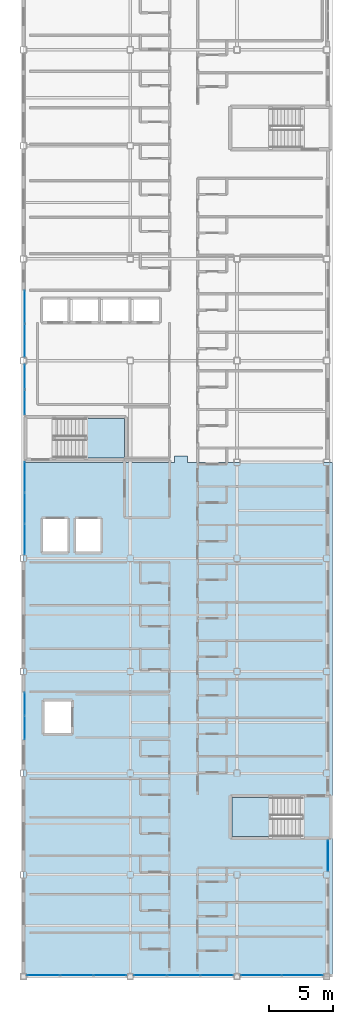
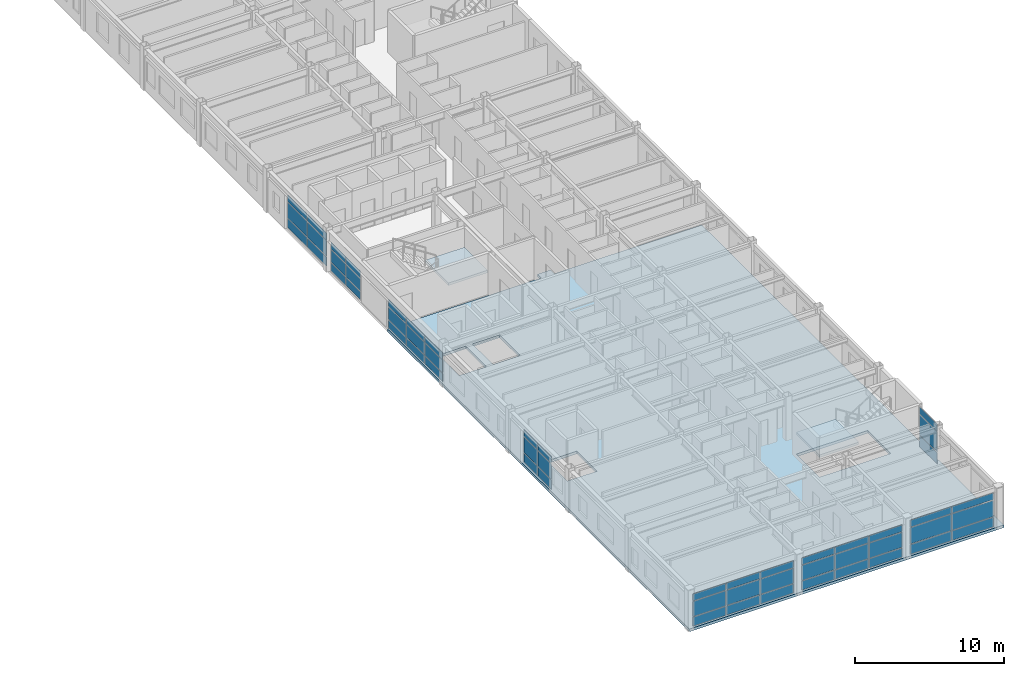
# One storey, part 21 of 33: 54 plates, 3 slabs, 10 elements without a shape of their own.
"""IFC4 building model written with IfcOpenShell, lengths in metres."""

from ifc_helpers import new_model, si_unit, direction, frame, origin, origin_2d, place, context, subcontext, project, spatial, polyline, rectangle, outline, extrude, material, layer, layer_set, type_object, element, aggregate, save


model = new_model("IFC4")

# Units and contexts
model_context = context("Model", 3, precision=1e-05, world=origin(), true_north=direction((0.0, 1.0)))
body_context = subcontext(model_context, "Body", "Model", "MODEL_VIEW")
ifc_project = project(units=[si_unit("LENGTHUNIT", "METRE"), si_unit("AREAUNIT", "SQUARE_METRE"), si_unit("VOLUMEUNIT", "CUBIC_METRE"), si_unit("PLANEANGLEUNIT", "RADIAN"), si_unit("MASSUNIT", "GRAM", prefix="KILO")], contexts=[model_context])

# Site, building, storey
site_placement = place(None, origin())
site = spatial("IfcSite", under=ifc_project, at=site_placement, CompositionType="ELEMENT")
building_placement = place(site_placement, origin())
building = spatial("IfcBuilding", under=site, at=building_placement, Name="Kazehara Bluff Congress Hotel", CompositionType="ELEMENT")
storey_placement = place(building_placement, frame((0.0, 0.0, 39.0)))
storey = spatial("IfcBuildingStorey", under=building, at=storey_placement, Name="L09", CompositionType="ELEMENT", Elevation=39.0)

# Curtain wall, plates
ifc_material_1 = material(Name="Anodised aluminium", Category="aluminium")
ifc_layer_1 = layer(ifc_material_1, 0.159912109375)
ifc_layer_set_1 = layer_set([ifc_layer_1], Name="Anodised aluminium")
curtain_wall_type_1 = type_object("IfcCurtainWallType", Name="TP-CW-185", PredefinedType="NOTDEFINED", material=ifc_layer_set_1)
curtain_wall_1_placement = place(storey_placement, origin())
curtain_wall_1 = element("IfcCurtainWall", 1, at=curtain_wall_1_placement, inside=storey, type_object=curtain_wall_type_1, Name="L09 curtain wall CW-185 CW-ENC-V5-L09-14790-810", PredefinedType="NOTDEFINED")
ifc_material_2 = material(Name="Insulated low-E double glazing", Category="glass")
ifc_layer_2 = layer(ifc_material_2, 0.028076171875)
ifc_layer_set_2 = layer_set([ifc_layer_2], Name="Insulated low-E double glazing")
plate_type_1 = type_object("IfcPlateType", Name="TP-CWP-01", PredefinedType="CURTAIN_PANEL", material=ifc_layer_set_2)
plate_1_placement = place(storey_placement, frame((150.51708984375, 8.10009765625, 0.06494140625), z_axis=(0.0, 0.0, 1.0), x_axis=(-1.0, 0.0, 0.0)))
plate_1 = element("IfcPlate", 2, at=plate_1_placement, type_object=plate_type_1, Name="CW-185 panel 1.1", PredefinedType="CURTAIN_PANEL", context=body_context, shape_type="SweptSolid", body=[
    extrude(rectangle(XDim=2.535888671875, YDim=0.028076171875, at=origin_2d()), origin(), (0.0, 0.0, 1.0), 0.7275390625),
])
plate_2_placement = place(storey_placement, frame((150.51708984375, 8.10009765625, 0.857421875), z_axis=(0.0, 0.0, 1.0), x_axis=(-1.0, 0.0, 0.0)))
plate_2 = element("IfcPlate", 3, at=plate_2_placement, type_object=plate_type_1, Name="CW-185 panel 1.2", PredefinedType="CURTAIN_PANEL", context=body_context, shape_type="SweptSolid", body=[
    extrude(rectangle(XDim=2.535888671875, YDim=0.028076171875, at=origin_2d()), origin(), (0.0, 0.0, 1.0), 1.215087890625),
])
plate_3_placement = place(storey_placement, frame((150.51708984375, 8.10009765625, 2.1376953125), z_axis=(0.0, 0.0, 1.0), x_axis=(-1.0, 0.0, 0.0)))
plate_3 = element("IfcPlate", 4, at=plate_3_placement, type_object=plate_type_1, Name="CW-185 panel 1.3", PredefinedType="CURTAIN_PANEL", context=body_context, shape_type="SweptSolid", body=[
    extrude(rectangle(XDim=2.535888671875, YDim=0.028076171875, at=origin_2d()), origin(), (0.0, 0.0, 1.0), 0.552490234375),
])
plate_4_placement = place(storey_placement, frame((147.89990234375, 8.10009765625, 0.06494140625), z_axis=(0.0, 0.0, 1.0), x_axis=(-1.0, 0.0, 0.0)))
plate_4 = element("IfcPlate", 5, at=plate_4_placement, type_object=plate_type_1, Name="CW-185 panel 2.1", PredefinedType="CURTAIN_PANEL", context=body_context, shape_type="SweptSolid", body=[
    extrude(rectangle(XDim=2.568359375, YDim=0.028076171875, at=origin_2d()), origin(), (0.0, 0.0, 1.0), 0.7275390625),
])
plate_5_placement = place(storey_placement, frame((147.89990234375, 8.10009765625, 0.857421875), z_axis=(0.0, 0.0, 1.0), x_axis=(-1.0, 0.0, 0.0)))
plate_5 = element("IfcPlate", 6, at=plate_5_placement, type_object=plate_type_1, Name="CW-185 panel 2.2", PredefinedType="CURTAIN_PANEL", context=body_context, shape_type="SweptSolid", body=[
    extrude(rectangle(XDim=2.568359375, YDim=0.028076171875, at=origin_2d()), origin(), (0.0, 0.0, 1.0), 1.215087890625),
])
plate_6_placement = place(storey_placement, frame((147.89990234375, 8.10009765625, 2.1376953125), z_axis=(0.0, 0.0, 1.0), x_axis=(-1.0, 0.0, 0.0)))
plate_6 = element("IfcPlate", 7, at=plate_6_placement, type_object=plate_type_1, Name="CW-185 panel 2.3", PredefinedType="CURTAIN_PANEL", context=body_context, shape_type="SweptSolid", body=[
    extrude(rectangle(XDim=2.568359375, YDim=0.028076171875, at=origin_2d()), origin(), (0.0, 0.0, 1.0), 0.552490234375),
])
plate_7_placement = place(storey_placement, frame((145.282958984375, 8.10009765625, 0.06494140625), z_axis=(0.0, 0.0, 1.0), x_axis=(-1.0, 0.0, 0.0)))
plate_7 = element("IfcPlate", 8, at=plate_7_placement, type_object=plate_type_1, Name="CW-185 panel 3.1", PredefinedType="CURTAIN_PANEL", context=body_context, shape_type="SweptSolid", body=[
    extrude(rectangle(XDim=2.535888671875, YDim=0.028076171875, at=origin_2d()), origin(), (0.0, 0.0, 1.0), 0.7275390625),
])
plate_8_placement = place(storey_placement, frame((145.282958984375, 8.10009765625, 0.857421875), z_axis=(0.0, 0.0, 1.0), x_axis=(-1.0, 0.0, 0.0)))
plate_8 = element("IfcPlate", 9, at=plate_8_placement, type_object=plate_type_1, Name="CW-185 panel 3.2", PredefinedType="CURTAIN_PANEL", context=body_context, shape_type="SweptSolid", body=[
    extrude(rectangle(XDim=2.535888671875, YDim=0.028076171875, at=origin_2d()), origin(), (0.0, 0.0, 1.0), 1.215087890625),
])
plate_9_placement = place(storey_placement, frame((145.282958984375, 8.10009765625, 2.1376953125), z_axis=(0.0, 0.0, 1.0), x_axis=(-1.0, 0.0, 0.0)))
plate_9 = element("IfcPlate", 10, at=plate_9_placement, type_object=plate_type_1, Name="CW-185 panel 3.3", PredefinedType="CURTAIN_PANEL", context=body_context, shape_type="SweptSolid", body=[
    extrude(rectangle(XDim=2.535888671875, YDim=0.028076171875, at=origin_2d()), origin(), (0.0, 0.0, 1.0), 0.552490234375),
])
aggregate(curtain_wall_1, [plate_1, plate_2, plate_3, plate_4, plate_5, plate_6, plate_7, plate_8, plate_9])

curtain_wall_2_placement = place(storey_placement, origin())
curtain_wall_2 = element("IfcCurtainWall", 11, at=curtain_wall_2_placement, inside=storey, type_object=curtain_wall_type_1, Name="L09 curtain wall CW-185 CW-ENC-V5-L09-15630-810", PredefinedType="NOTDEFINED")
plate_10_placement = place(storey_placement, frame((158.9169921875, 8.10009765625, 0.06494140625), z_axis=(0.0, 0.0, 1.0), x_axis=(-1.0, 0.0, 0.0)))
plate_10 = element("IfcPlate", 12, at=plate_10_placement, type_object=plate_type_1, Name="CW-185 panel 1.1", PredefinedType="CURTAIN_PANEL", context=body_context, shape_type="SweptSolid", body=[
    extrude(rectangle(XDim=2.535888671875, YDim=0.028076171875, at=origin_2d()), origin(), (0.0, 0.0, 1.0), 0.7275390625),
])
plate_11_placement = place(storey_placement, frame((158.9169921875, 8.10009765625, 0.857421875), z_axis=(0.0, 0.0, 1.0), x_axis=(-1.0, 0.0, 0.0)))
plate_11 = element("IfcPlate", 13, at=plate_11_placement, type_object=plate_type_1, Name="CW-185 panel 1.2", PredefinedType="CURTAIN_PANEL", context=body_context, shape_type="SweptSolid", body=[
    extrude(rectangle(XDim=2.535888671875, YDim=0.028076171875, at=origin_2d()), origin(), (0.0, 0.0, 1.0), 1.215087890625),
])
plate_12_placement = place(storey_placement, frame((158.9169921875, 8.10009765625, 2.1376953125), z_axis=(0.0, 0.0, 1.0), x_axis=(-1.0, 0.0, 0.0)))
plate_12 = element("IfcPlate", 14, at=plate_12_placement, type_object=plate_type_1, Name="CW-185 panel 1.3", PredefinedType="CURTAIN_PANEL", context=body_context, shape_type="SweptSolid", body=[
    extrude(rectangle(XDim=2.535888671875, YDim=0.028076171875, at=origin_2d()), origin(), (0.0, 0.0, 1.0), 0.552490234375),
])
plate_13_placement = place(storey_placement, frame((156.300048828125, 8.10009765625, 0.06494140625), z_axis=(0.0, 0.0, 1.0), x_axis=(-1.0, 0.0, 0.0)))
plate_13 = element("IfcPlate", 15, at=plate_13_placement, type_object=plate_type_1, Name="CW-185 panel 2.1", PredefinedType="CURTAIN_PANEL", context=body_context, shape_type="SweptSolid", body=[
    extrude(rectangle(XDim=2.568359375, YDim=0.028076171875, at=origin_2d()), origin(), (0.0, 0.0, 1.0), 0.7275390625),
])
plate_14_placement = place(storey_placement, frame((156.300048828125, 8.10009765625, 0.857421875), z_axis=(0.0, 0.0, 1.0), x_axis=(-1.0, 0.0, 0.0)))
plate_14 = element("IfcPlate", 16, at=plate_14_placement, type_object=plate_type_1, Name="CW-185 panel 2.2", PredefinedType="CURTAIN_PANEL", context=body_context, shape_type="SweptSolid", body=[
    extrude(rectangle(XDim=2.568359375, YDim=0.028076171875, at=origin_2d()), origin(), (0.0, 0.0, 1.0), 1.215087890625),
])
plate_15_placement = place(storey_placement, frame((156.300048828125, 8.10009765625, 2.1376953125), z_axis=(0.0, 0.0, 1.0), x_axis=(-1.0, 0.0, 0.0)))
plate_15 = element("IfcPlate", 17, at=plate_15_placement, type_object=plate_type_1, Name="CW-185 panel 2.3", PredefinedType="CURTAIN_PANEL", context=body_context, shape_type="SweptSolid", body=[
    extrude(rectangle(XDim=2.568359375, YDim=0.028076171875, at=origin_2d()), origin(), (0.0, 0.0, 1.0), 0.552490234375),
])
plate_16_placement = place(storey_placement, frame((153.682861328125, 8.10009765625, 0.06494140625), z_axis=(0.0, 0.0, 1.0), x_axis=(-1.0, 0.0, 0.0)))
plate_16 = element("IfcPlate", 18, at=plate_16_placement, type_object=plate_type_1, Name="CW-185 panel 3.1", PredefinedType="CURTAIN_PANEL", context=body_context, shape_type="SweptSolid", body=[
    extrude(rectangle(XDim=2.535888671875, YDim=0.028076171875, at=origin_2d()), origin(), (0.0, 0.0, 1.0), 0.7275390625),
])
plate_17_placement = place(storey_placement, frame((153.682861328125, 8.10009765625, 0.857421875), z_axis=(0.0, 0.0, 1.0), x_axis=(-1.0, 0.0, 0.0)))
plate_17 = element("IfcPlate", 19, at=plate_17_placement, type_object=plate_type_1, Name="CW-185 panel 3.2", PredefinedType="CURTAIN_PANEL", context=body_context, shape_type="SweptSolid", body=[
    extrude(rectangle(XDim=2.535888671875, YDim=0.028076171875, at=origin_2d()), origin(), (0.0, 0.0, 1.0), 1.215087890625),
])
plate_18_placement = place(storey_placement, frame((153.682861328125, 8.10009765625, 2.1376953125), z_axis=(0.0, 0.0, 1.0), x_axis=(-1.0, 0.0, 0.0)))
plate_18 = element("IfcPlate", 20, at=plate_18_placement, type_object=plate_type_1, Name="CW-185 panel 3.3", PredefinedType="CURTAIN_PANEL", context=body_context, shape_type="SweptSolid", body=[
    extrude(rectangle(XDim=2.535888671875, YDim=0.028076171875, at=origin_2d()), origin(), (0.0, 0.0, 1.0), 0.552490234375),
])
aggregate(curtain_wall_2, [plate_10, plate_11, plate_12, plate_13, plate_14, plate_15, plate_16, plate_17, plate_18])

ifc_material_3 = material(Name="Anodised aluminium", Category="aluminium")
ifc_layer_3 = layer(ifc_material_3, 0.159912109375)
ifc_layer_set_3 = layer_set([ifc_layer_3], Name="Anodised aluminium")
curtain_wall_type_2 = type_object("IfcCurtainWallType", Name="TP-CW-193", PredefinedType="NOTDEFINED", material=ifc_layer_set_3)
curtain_wall_3_placement = place(storey_placement, origin())
curtain_wall_3 = element("IfcCurtainWall", 21, at=curtain_wall_3_placement, inside=storey, type_object=curtain_wall_type_2, Name="L09 curtain wall CW-193 CW-ENC-V5-L09-16402-810", PredefinedType="NOTDEFINED")
plate_19_placement = place(storey_placement, frame((165.646240234375, 8.10009765625, 0.06494140625), z_axis=(0.0, 0.0, 1.0), x_axis=(-1.0, 0.0, 0.0)))
plate_19 = element("IfcPlate", 22, at=plate_19_placement, type_object=plate_type_1, Name="CW-193 panel 1.1", PredefinedType="CURTAIN_PANEL", context=body_context, shape_type="SweptSolid", body=[
    extrude(rectangle(XDim=3.177490234375, YDim=0.028076171875, at=origin_2d()), origin(), (0.0, 0.0, 1.0), 0.7724609375),
])
plate_20_placement = place(storey_placement, frame((165.646240234375, 8.10009765625, 0.90234375), z_axis=(0.0, 0.0, 1.0), x_axis=(-1.0, 0.0, 0.0)))
plate_20 = element("IfcPlate", 23, at=plate_20_placement, type_object=plate_type_1, Name="CW-193 panel 1.2", PredefinedType="CURTAIN_PANEL", context=body_context, shape_type="SweptSolid", body=[
    extrude(rectangle(XDim=3.177490234375, YDim=0.028076171875, at=origin_2d()), origin(), (0.0, 0.0, 1.0), 1.320068359375),
])
plate_21_placement = place(storey_placement, frame((165.646240234375, 8.10009765625, 2.28759765625), z_axis=(0.0, 0.0, 1.0), x_axis=(-1.0, 0.0, 0.0)))
plate_21 = element("IfcPlate", 24, at=plate_21_placement, type_object=plate_type_1, Name="CW-193 panel 1.3", PredefinedType="CURTAIN_PANEL", context=body_context, shape_type="SweptSolid", body=[
    extrude(rectangle(XDim=3.177490234375, YDim=0.028076171875, at=origin_2d()), origin(), (0.0, 0.0, 1.0), 0.552490234375),
])
plate_22_placement = place(storey_placement, frame((162.40380859375, 8.10009765625, 0.06494140625), z_axis=(0.0, 0.0, 1.0), x_axis=(-1.0, 0.0, 0.0)))
plate_22 = element("IfcPlate", 25, at=plate_22_placement, type_object=plate_type_1, Name="CW-193 panel 2.1", PredefinedType="CURTAIN_PANEL", context=body_context, shape_type="SweptSolid", body=[
    extrude(rectangle(XDim=3.177490234375, YDim=0.028076171875, at=origin_2d()), origin(), (0.0, 0.0, 1.0), 0.7724609375),
])
plate_23_placement = place(storey_placement, frame((162.40380859375, 8.10009765625, 0.90234375), z_axis=(0.0, 0.0, 1.0), x_axis=(-1.0, 0.0, 0.0)))
plate_23 = element("IfcPlate", 26, at=plate_23_placement, type_object=plate_type_1, Name="CW-193 panel 2.2", PredefinedType="CURTAIN_PANEL", context=body_context, shape_type="SweptSolid", body=[
    extrude(rectangle(XDim=3.177490234375, YDim=0.028076171875, at=origin_2d()), origin(), (0.0, 0.0, 1.0), 1.320068359375),
])
plate_24_placement = place(storey_placement, frame((162.40380859375, 8.10009765625, 2.28759765625), z_axis=(0.0, 0.0, 1.0), x_axis=(-1.0, 0.0, 0.0)))
plate_24 = element("IfcPlate", 27, at=plate_24_placement, type_object=plate_type_1, Name="CW-193 panel 2.3", PredefinedType="CURTAIN_PANEL", context=body_context, shape_type="SweptSolid", body=[
    extrude(rectangle(XDim=3.177490234375, YDim=0.028076171875, at=origin_2d()), origin(), (0.0, 0.0, 1.0), 0.552490234375),
])
aggregate(curtain_wall_3, [plate_19, plate_20, plate_21, plate_22, plate_23, plate_24])

ifc_material_4 = material(Name="Anodised aluminium", Category="aluminium")
ifc_layer_4 = layer(ifc_material_4, 0.159912109375)
ifc_layer_set_4 = layer_set([ifc_layer_4], Name="Anodised aluminium")
curtain_wall_type_3 = type_object("IfcCurtainWallType", Name="TP-CW-190", PredefinedType="NOTDEFINED", material=ifc_layer_set_4)
curtain_wall_4_placement = place(storey_placement, origin())
curtain_wall_4 = element("IfcCurtainWall", 28, at=curtain_wall_4_placement, inside=storey, type_object=curtain_wall_type_3, Name="L09 curtain wall CW-190 CW-ENC-V5-L09-14380-4484", PredefinedType="NOTDEFINED")
plate_25_placement = place(storey_placement, frame((143.800048828125, 42.39794921875, 0.06494140625), z_axis=(0.0, 0.0, 1.0), x_axis=(0.0, 1.0, 0.0)))
plate_25 = element("IfcPlate", 29, at=plate_25_placement, type_object=plate_type_1, Name="CW-190 panel 1.1", PredefinedType="CURTAIN_PANEL", context=body_context, shape_type="SweptSolid", body=[
    extrude(rectangle(XDim=2.36572265625, YDim=0.028076171875, at=origin_2d()), origin(), (0.0, 0.0, 1.0), 0.637451171875),
])
plate_26_placement = place(storey_placement, frame((143.800048828125, 42.39794921875, 0.767578125), z_axis=(0.0, 0.0, 1.0), x_axis=(0.0, 1.0, 0.0)))
plate_26 = element("IfcPlate", 30, at=plate_26_placement, type_object=plate_type_1, Name="CW-190 panel 1.2", PredefinedType="CURTAIN_PANEL", context=body_context, shape_type="SweptSolid", body=[
    extrude(rectangle(XDim=2.36572265625, YDim=0.028076171875, at=origin_2d()), origin(), (0.0, 0.0, 1.0), 1.0048828125),
])
plate_27_placement = place(storey_placement, frame((143.800048828125, 42.39794921875, 1.83740234375), z_axis=(0.0, 0.0, 1.0), x_axis=(0.0, 1.0, 0.0)))
plate_27 = element("IfcPlate", 31, at=plate_27_placement, type_object=plate_type_1, Name="CW-190 panel 1.3", PredefinedType="CURTAIN_PANEL", context=body_context, shape_type="SweptSolid", body=[
    extrude(rectangle(XDim=2.36572265625, YDim=0.028076171875, at=origin_2d()), origin(), (0.0, 0.0, 1.0), 0.552490234375),
])
plate_28_placement = place(storey_placement, frame((143.800048828125, 44.844970703125, 0.06494140625), z_axis=(0.0, 0.0, 1.0), x_axis=(0.0, 1.0, 0.0)))
plate_28 = element("IfcPlate", 32, at=plate_28_placement, type_object=plate_type_1, Name="CW-190 panel 2.1", PredefinedType="CURTAIN_PANEL", context=body_context, shape_type="SweptSolid", body=[
    extrude(rectangle(XDim=2.3984375, YDim=0.028076171875, at=origin_2d()), origin(), (0.0, 0.0, 1.0), 0.637451171875),
])
plate_29_placement = place(storey_placement, frame((143.800048828125, 44.844970703125, 0.767578125), z_axis=(0.0, 0.0, 1.0), x_axis=(0.0, 1.0, 0.0)))
plate_29 = element("IfcPlate", 33, at=plate_29_placement, type_object=plate_type_1, Name="CW-190 panel 2.2", PredefinedType="CURTAIN_PANEL", context=body_context, shape_type="SweptSolid", body=[
    extrude(rectangle(XDim=2.3984375, YDim=0.028076171875, at=origin_2d()), origin(), (0.0, 0.0, 1.0), 1.0048828125),
])
plate_30_placement = place(storey_placement, frame((143.800048828125, 44.844970703125, 1.83740234375), z_axis=(0.0, 0.0, 1.0), x_axis=(0.0, 1.0, 0.0)))
plate_30 = element("IfcPlate", 34, at=plate_30_placement, type_object=plate_type_1, Name="CW-190 panel 2.3", PredefinedType="CURTAIN_PANEL", context=body_context, shape_type="SweptSolid", body=[
    extrude(rectangle(XDim=2.3984375, YDim=0.028076171875, at=origin_2d()), origin(), (0.0, 0.0, 1.0), 0.552490234375),
])
plate_31_placement = place(storey_placement, frame((143.800048828125, 47.2919921875, 0.06494140625), z_axis=(0.0, 0.0, 1.0), x_axis=(0.0, 1.0, 0.0)))
plate_31 = element("IfcPlate", 35, at=plate_31_placement, type_object=plate_type_1, Name="CW-190 panel 3.1", PredefinedType="CURTAIN_PANEL", context=body_context, shape_type="SweptSolid", body=[
    extrude(rectangle(XDim=2.36572265625, YDim=0.028076171875, at=origin_2d()), origin(), (0.0, 0.0, 1.0), 0.637451171875),
])
plate_32_placement = place(storey_placement, frame((143.800048828125, 47.2919921875, 0.767578125), z_axis=(0.0, 0.0, 1.0), x_axis=(0.0, 1.0, 0.0)))
plate_32 = element("IfcPlate", 36, at=plate_32_placement, type_object=plate_type_1, Name="CW-190 panel 3.2", PredefinedType="CURTAIN_PANEL", context=body_context, shape_type="SweptSolid", body=[
    extrude(rectangle(XDim=2.36572265625, YDim=0.028076171875, at=origin_2d()), origin(), (0.0, 0.0, 1.0), 1.0048828125),
])
plate_33_placement = place(storey_placement, frame((143.800048828125, 47.2919921875, 1.83740234375), z_axis=(0.0, 0.0, 1.0), x_axis=(0.0, 1.0, 0.0)))
plate_33 = element("IfcPlate", 37, at=plate_33_placement, type_object=plate_type_1, Name="CW-190 panel 3.3", PredefinedType="CURTAIN_PANEL", context=body_context, shape_type="SweptSolid", body=[
    extrude(rectangle(XDim=2.36572265625, YDim=0.028076171875, at=origin_2d()), origin(), (0.0, 0.0, 1.0), 0.552490234375),
])
aggregate(curtain_wall_4, [plate_25, plate_26, plate_27, plate_28, plate_29, plate_30, plate_31, plate_32, plate_33])

ifc_material_5 = material(Name="Anodised aluminium", Category="aluminium")
ifc_layer_5 = layer(ifc_material_5, 0.159912109375)
ifc_layer_set_5 = layer_set([ifc_layer_5], Name="Anodised aluminium")
curtain_wall_type_4 = type_object("IfcCurtainWallType", Name="TP-CW-192", PredefinedType="NOTDEFINED", material=ifc_layer_set_5)
curtain_wall_5_placement = place(storey_placement, origin())
curtain_wall_5 = element("IfcCurtainWall", 38, at=curtain_wall_5_placement, inside=storey, type_object=curtain_wall_type_4, Name="L09 curtain wall CW-192 CW-ENC-V5-L09-14380-5935", PredefinedType="NOTDEFINED")
plate_34_placement = place(storey_placement, frame((143.800048828125, 58.0400390625, 0.06005859375), z_axis=(0.0, 0.0, 1.0), x_axis=(0.0, 1.0, 0.0)))
plate_34 = element("IfcPlate", 39, at=plate_34_placement, type_object=plate_type_1, Name="CW-192 panel 1.1", PredefinedType="CURTAIN_PANEL", context=body_context, shape_type="SweptSolid", body=[
    extrude(rectangle(XDim=2.56005859375, YDim=0.028076171875, at=origin_2d()), origin(), (0.0, 0.0, 1.0), 0.75),
])
plate_35_placement = place(storey_placement, frame((143.800048828125, 58.0400390625, 0.8701171875), z_axis=(0.0, 0.0, 1.0), x_axis=(0.0, 1.0, 0.0)))
plate_35 = element("IfcPlate", 40, at=plate_35_placement, type_object=plate_type_1, Name="CW-192 panel 1.2", PredefinedType="CURTAIN_PANEL", context=body_context, shape_type="SweptSolid", body=[
    extrude(rectangle(XDim=2.56005859375, YDim=0.028076171875, at=origin_2d()), origin(), (0.0, 0.0, 1.0), 1.2548828125),
])
plate_36_placement = place(storey_placement, frame((143.800048828125, 58.0400390625, 2.18505859375), z_axis=(0.0, 0.0, 1.0), x_axis=(0.0, 1.0, 0.0)))
plate_36 = element("IfcPlate", 41, at=plate_36_placement, type_object=plate_type_1, Name="CW-192 panel 1.3", PredefinedType="CURTAIN_PANEL", context=body_context, shape_type="SweptSolid", body=[
    extrude(rectangle(XDim=2.56005859375, YDim=0.028076171875, at=origin_2d()), origin(), (0.0, 0.0, 1.0), 0.56005859375),
])
plate_37_placement = place(storey_placement, frame((143.800048828125, 60.659912109375, 0.06005859375), z_axis=(0.0, 0.0, 1.0), x_axis=(0.0, 1.0, 0.0)))
plate_37 = element("IfcPlate", 42, at=plate_37_placement, type_object=plate_type_1, Name="CW-192 panel 2.1", PredefinedType="CURTAIN_PANEL", context=body_context, shape_type="SweptSolid", body=[
    extrude(rectangle(XDim=2.56005859375, YDim=0.028076171875, at=origin_2d()), origin(), (0.0, 0.0, 1.0), 0.75),
])
plate_38_placement = place(storey_placement, frame((143.800048828125, 60.659912109375, 0.8701171875), z_axis=(0.0, 0.0, 1.0), x_axis=(0.0, 1.0, 0.0)))
plate_38 = element("IfcPlate", 43, at=plate_38_placement, type_object=plate_type_1, Name="CW-192 panel 2.2", PredefinedType="CURTAIN_PANEL", context=body_context, shape_type="SweptSolid", body=[
    extrude(rectangle(XDim=2.56005859375, YDim=0.028076171875, at=origin_2d()), origin(), (0.0, 0.0, 1.0), 1.2548828125),
])
plate_39_placement = place(storey_placement, frame((143.800048828125, 60.659912109375, 2.18505859375), z_axis=(0.0, 0.0, 1.0), x_axis=(0.0, 1.0, 0.0)))
plate_39 = element("IfcPlate", 44, at=plate_39_placement, type_object=plate_type_1, Name="CW-192 panel 2.3", PredefinedType="CURTAIN_PANEL", context=body_context, shape_type="SweptSolid", body=[
    extrude(rectangle(XDim=2.56005859375, YDim=0.028076171875, at=origin_2d()), origin(), (0.0, 0.0, 1.0), 0.56005859375),
])
aggregate(curtain_wall_5, [plate_34, plate_35, plate_36, plate_37, plate_38, plate_39])

ifc_material_6 = material(Name="Anodised aluminium", Category="aluminium")
ifc_layer_6 = layer(ifc_material_6, 0.159912109375)
ifc_layer_set_6 = layer_set([ifc_layer_6], Name="Anodised aluminium")
curtain_wall_type_5 = type_object("IfcCurtainWallType", Name="TP-CW-187", PredefinedType="NOTDEFINED", material=ifc_layer_set_6)
curtain_wall_6_placement = place(storey_placement, origin())
curtain_wall_6 = element("IfcCurtainWall", 45, at=curtain_wall_6_placement, inside=storey, type_object=curtain_wall_type_5, Name="L09 curtain wall CW-187 CW-ENC-V5-L09-16765-1749", PredefinedType="NOTDEFINED")
ifc_material_7 = material(Name="Insulated low-E double glazing", Category="glass")
ifc_layer_7 = layer(ifc_material_7, 0.02001953125)
ifc_layer_set_7 = layer_set([ifc_layer_7], Name="Insulated low-E double glazing")
plate_type_2 = type_object("IfcPlateType", Name="TP-CWP-03", PredefinedType="CURTAIN_PANEL", material=ifc_layer_set_7)
plate_40_placement = place(storey_placement, frame((167.64990234375, 17.4951171875, 0.06005859375), z_axis=(0.0, 0.0, 1.0), x_axis=(0.0, -1.0, 0.0)))
plate_40 = element("IfcPlate", 46, at=plate_40_placement, type_object=plate_type_2, Name="CW-187 panel 1.1", PredefinedType="CURTAIN_PANEL", context=body_context, shape_type="SweptSolid", body=[
    extrude(rectangle(XDim=2.3701171875, YDim=0.02001953125, at=origin_2d()), origin(), (0.0, 0.0, 1.0), 0.919921875),
])
plate_41_placement = place(storey_placement, frame((167.64990234375, 17.4951171875, 1.0400390625), z_axis=(0.0, 0.0, 1.0), x_axis=(0.0, -1.0, 0.0)))
plate_41 = element("IfcPlate", 47, at=plate_41_placement, type_object=plate_type_2, Name="CW-187 panel 1.2", PredefinedType="CURTAIN_PANEL", context=body_context, shape_type="SweptSolid", body=[
    extrude(rectangle(XDim=2.3701171875, YDim=0.02001953125, at=origin_2d()), origin(), (0.0, 0.0, 1.0), 1.64501953125),
])
plate_42_placement = place(storey_placement, frame((167.64990234375, 17.4951171875, 2.744873046875), z_axis=(0.0, 0.0, 1.0), x_axis=(0.0, -1.0, 0.0)))
plate_42 = element("IfcPlate", 48, at=plate_42_placement, type_object=plate_type_2, Name="CW-187 panel 1.3", PredefinedType="CURTAIN_PANEL", context=body_context, shape_type="SweptSolid", body=[
    extrude(rectangle(XDim=2.3701171875, YDim=0.02001953125, at=origin_2d()), origin(), (0.0, 0.0, 1.0), 0.56005859375),
])
aggregate(curtain_wall_6, [plate_40, plate_41, plate_42])

ifc_material_8 = material(Name="Anodised aluminium", Category="aluminium")
ifc_layer_8 = layer(ifc_material_8, 0.159912109375)
ifc_layer_set_8 = layer_set([ifc_layer_8], Name="Anodised aluminium")
curtain_wall_type_6 = type_object("IfcCurtainWallType", Name="TP-CW-176", PredefinedType="NOTDEFINED", material=ifc_layer_set_8)
curtain_wall_7_placement = place(storey_placement, origin())
curtain_wall_7 = element("IfcCurtainWall", 49, at=curtain_wall_7_placement, inside=storey, type_object=curtain_wall_type_6, Name="L09 curtain wall CW-176 CW-ENC-V5-L09-14380-2850", PredefinedType="NOTDEFINED")
plate_43_placement = place(storey_placement, frame((143.800048828125, 27.56494140625, 0.06005859375), z_axis=(0.0, 0.0, 1.0), x_axis=(0.0, 1.0, 0.0)))
plate_43 = element("IfcPlate", 50, at=plate_43_placement, type_object=plate_type_2, Name="CW-176 panel 1.1", PredefinedType="CURTAIN_PANEL", context=body_context, shape_type="SweptSolid", body=[
    extrude(rectangle(XDim=1.81005859375, YDim=0.02001953125, at=origin_2d()), origin(), (0.0, 0.0, 1.0), 0.75),
])
plate_44_placement = place(storey_placement, frame((143.800048828125, 27.56494140625, 0.8701171875), z_axis=(0.0, 0.0, 1.0), x_axis=(0.0, 1.0, 0.0)))
plate_44 = element("IfcPlate", 51, at=plate_44_placement, type_object=plate_type_2, Name="CW-176 panel 1.2", PredefinedType="CURTAIN_PANEL", context=body_context, shape_type="SweptSolid", body=[
    extrude(rectangle(XDim=1.81005859375, YDim=0.02001953125, at=origin_2d()), origin(), (0.0, 0.0, 1.0), 1.2548828125),
])
plate_45_placement = place(storey_placement, frame((143.800048828125, 27.56494140625, 2.18505859375), z_axis=(0.0, 0.0, 1.0), x_axis=(0.0, 1.0, 0.0)))
plate_45 = element("IfcPlate", 52, at=plate_45_placement, type_object=plate_type_2, Name="CW-176 panel 1.3", PredefinedType="CURTAIN_PANEL", context=body_context, shape_type="SweptSolid", body=[
    extrude(rectangle(XDim=1.81005859375, YDim=0.02001953125, at=origin_2d()), origin(), (0.0, 0.0, 1.0), 0.56005859375),
])
plate_46_placement = place(storey_placement, frame((143.800048828125, 29.43505859375, 0.06005859375), z_axis=(0.0, 0.0, 1.0), x_axis=(0.0, 1.0, 0.0)))
plate_46 = element("IfcPlate", 53, at=plate_46_placement, type_object=plate_type_2, Name="CW-176 panel 2.1", PredefinedType="CURTAIN_PANEL", context=body_context, shape_type="SweptSolid", body=[
    extrude(rectangle(XDim=1.81005859375, YDim=0.02001953125, at=origin_2d()), origin(), (0.0, 0.0, 1.0), 0.75),
])
plate_47_placement = place(storey_placement, frame((143.800048828125, 29.43505859375, 0.8701171875), z_axis=(0.0, 0.0, 1.0), x_axis=(0.0, 1.0, 0.0)))
plate_47 = element("IfcPlate", 54, at=plate_47_placement, type_object=plate_type_2, Name="CW-176 panel 2.2", PredefinedType="CURTAIN_PANEL", context=body_context, shape_type="SweptSolid", body=[
    extrude(rectangle(XDim=1.81005859375, YDim=0.02001953125, at=origin_2d()), origin(), (0.0, 0.0, 1.0), 1.2548828125),
])
plate_48_placement = place(storey_placement, frame((143.800048828125, 29.43505859375, 2.18505859375), z_axis=(0.0, 0.0, 1.0), x_axis=(0.0, 1.0, 0.0)))
plate_48 = element("IfcPlate", 55, at=plate_48_placement, type_object=plate_type_2, Name="CW-176 panel 2.3", PredefinedType="CURTAIN_PANEL", context=body_context, shape_type="SweptSolid", body=[
    extrude(rectangle(XDim=1.81005859375, YDim=0.02001953125, at=origin_2d()), origin(), (0.0, 0.0, 1.0), 0.56005859375),
])
aggregate(curtain_wall_7, [plate_43, plate_44, plate_45, plate_46, plate_47, plate_48])

ifc_material_9 = material(Name="Anodised aluminium", Category="aluminium")
ifc_layer_9 = layer(ifc_material_9, 0.159912109375)
ifc_layer_set_9 = layer_set([ifc_layer_9], Name="Anodised aluminium")
curtain_wall_type_7 = type_object("IfcCurtainWallType", Name="TP-CW-191", PredefinedType="NOTDEFINED", material=ifc_layer_set_9)
curtain_wall_8_placement = place(storey_placement, origin())
curtain_wall_8 = element("IfcCurtainWall", 56, at=curtain_wall_8_placement, inside=storey, type_object=curtain_wall_type_7, Name="L09 curtain wall CW-191 CW-ENC-V5-L09-14380-5418", PredefinedType="NOTDEFINED")
plate_49_placement = place(storey_placement, frame((143.800048828125, 53.18505859375, 0.06005859375), z_axis=(0.0, 0.0, 1.0), x_axis=(0.0, 1.0, 0.0)))
plate_49 = element("IfcPlate", 57, at=plate_49_placement, type_object=plate_type_2, Name="CW-191 panel 1.1", PredefinedType="CURTAIN_PANEL", context=body_context, shape_type="SweptSolid", body=[
    extrude(rectangle(XDim=1.929931640625, YDim=0.02001953125, at=origin_2d()), origin(), (0.0, 0.0, 1.0), 0.64501953125),
])
plate_50_placement = place(storey_placement, frame((143.800048828125, 53.18505859375, 0.76513671875), z_axis=(0.0, 0.0, 1.0), x_axis=(0.0, 1.0, 0.0)))
plate_50 = element("IfcPlate", 58, at=plate_50_placement, type_object=plate_type_2, Name="CW-191 panel 1.2", PredefinedType="CURTAIN_PANEL", context=body_context, shape_type="SweptSolid", body=[
    extrude(rectangle(XDim=1.929931640625, YDim=0.02001953125, at=origin_2d()), origin(), (0.0, 0.0, 1.0), 1.010009765625),
])
plate_51_placement = place(storey_placement, frame((143.800048828125, 53.18505859375, 1.8349609375), z_axis=(0.0, 0.0, 1.0), x_axis=(0.0, 1.0, 0.0)))
plate_51 = element("IfcPlate", 59, at=plate_51_placement, type_object=plate_type_2, Name="CW-191 panel 1.3", PredefinedType="CURTAIN_PANEL", context=body_context, shape_type="SweptSolid", body=[
    extrude(rectangle(XDim=1.929931640625, YDim=0.02001953125, at=origin_2d()), origin(), (0.0, 0.0, 1.0), 0.56005859375),
])
plate_52_placement = place(storey_placement, frame((143.800048828125, 55.175048828125, 0.06005859375), z_axis=(0.0, 0.0, 1.0), x_axis=(0.0, 1.0, 0.0)))
plate_52 = element("IfcPlate", 60, at=plate_52_placement, type_object=plate_type_2, Name="CW-191 panel 2.1", PredefinedType="CURTAIN_PANEL", context=body_context, shape_type="SweptSolid", body=[
    extrude(rectangle(XDim=1.929931640625, YDim=0.02001953125, at=origin_2d()), origin(), (0.0, 0.0, 1.0), 0.64501953125),
])
plate_53_placement = place(storey_placement, frame((143.800048828125, 55.175048828125, 0.76513671875), z_axis=(0.0, 0.0, 1.0), x_axis=(0.0, 1.0, 0.0)))
plate_53 = element("IfcPlate", 61, at=plate_53_placement, type_object=plate_type_2, Name="CW-191 panel 2.2", PredefinedType="CURTAIN_PANEL", context=body_context, shape_type="SweptSolid", body=[
    extrude(rectangle(XDim=1.929931640625, YDim=0.02001953125, at=origin_2d()), origin(), (0.0, 0.0, 1.0), 1.010009765625),
])
plate_54_placement = place(storey_placement, frame((143.800048828125, 55.175048828125, 1.8349609375), z_axis=(0.0, 0.0, 1.0), x_axis=(0.0, 1.0, 0.0)))
plate_54 = element("IfcPlate", 62, at=plate_54_placement, type_object=plate_type_2, Name="CW-191 panel 2.3", PredefinedType="CURTAIN_PANEL", context=body_context, shape_type="SweptSolid", body=[
    extrude(rectangle(XDim=1.929931640625, YDim=0.02001953125, at=origin_2d()), origin(), (0.0, 0.0, 1.0), 0.56005859375),
])
aggregate(curtain_wall_8, [plate_49, plate_50, plate_51, plate_52, plate_53, plate_54])

# Slab
ifc_material_10 = material(Name="Concrete C36/45", Category="concrete")
ifc_layer_10 = layer(ifc_material_10, 0.219970703125)
ifc_layer_set_10 = layer_set([ifc_layer_10], Name="Concrete C36/45")
slab_type_1 = type_object("IfcSlabType", Name="TP-SL-220", PredefinedType="FLOOR", material=ifc_layer_set_10)
slab_1_placement = place(storey_placement, frame((0.0, 0.0, -0.219970703125)))
element("IfcSlab", 63, at=slab_1_placement, inside=storey, type_object=slab_type_1, Name="L09 V5 composite floor slab S", PredefinedType="FLOOR", context=body_context, shape_type="SweptSolid", body=[
    extrude(outline(polyline([(143.699951171875, 8.0), (143.699951171875, 48.449951171875), (155.60009765625, 48.449951171875), (155.60009765625, 48.949951171875), (156.60009765625, 48.949951171875), (156.60009765625, 48.449951171875), (168.0, 48.449951171875), (168.0, 8.0), (143.699951171875, 8.0)]), holes=[polyline([(165.625, 22.10009765625), (160.10009765625, 22.10009765625), (160.10009765625, 19.0), (165.625, 19.0), (165.625, 22.10009765625)]), polyline([(145.14990234375, 41.324951171875), (147.25, 41.324951171875), (147.25, 44.074951171875), (145.14990234375, 44.074951171875), (145.14990234375, 41.324951171875)]), polyline([(147.75, 41.324951171875), (149.85009765625, 41.324951171875), (149.85009765625, 44.074951171875), (147.75, 44.074951171875), (147.75, 41.324951171875)]), polyline([(145.25, 27.050048828125), (147.550048828125, 27.050048828125), (147.550048828125, 29.75), (145.25, 29.75), (145.25, 27.050048828125)])]), origin(), (0.0, 0.0, 1.0), 0.219970703125),
])

# Stair, slab
ifc_material_11 = material(Name="Concrete C36/45", Category="concrete")
stair_type = type_object("IfcStairType", Name="TP-ST-T03", PredefinedType="HALF_TURN_STAIR", material=ifc_material_11)
stair_1_placement = place(storey_placement, origin())
stair_1 = element("IfcStair", 64, at=stair_1_placement, inside=storey, type_object=stair_type, Name="L09 Escape stair ST-10", PredefinedType="HALF_TURN_STAIR")
ifc_material_12 = material(Name="Concrete C36/45", Category="concrete")
ifc_layer_11 = layer(ifc_material_12, 0.199951171875)
ifc_layer_set_11 = layer_set([ifc_layer_11], Name="Concrete C36/45")
slab_type_2 = type_object("IfcSlabType", Name="TP-SLD-200", PredefinedType="LANDING", material=ifc_layer_set_11)
slab_2_placement = place(storey_placement, frame((0.0, 0.0, 1.60009765625)))
slab_2 = element("IfcSlab", 65, at=slab_2_placement, type_object=slab_type_2, Name="ST-10 landing 1", PredefinedType="LANDING", context=body_context, shape_type="SweptSolid", body=[
    extrude(outline(polyline([(163.1298828125, 22.10009765625), (160.10009765625, 22.10009765625), (160.10009765625, 19.0), (163.1298828125, 19.0), (163.1298828125, 22.10009765625)])), origin(), (0.0, 0.0, 1.0), 0.199951171875),
])
aggregate(stair_1, [slab_2])

stair_2_placement = place(storey_placement, origin())
stair_2 = element("IfcStair", 66, at=stair_2_placement, inside=storey, type_object=stair_type, Name="L09 Escape stair ST-11", PredefinedType="HALF_TURN_STAIR")
slab_3_placement = place(storey_placement, frame((0.0, 0.0, 1.60009765625)))
slab_3 = element("IfcSlab", 67, at=slab_3_placement, type_object=slab_type_2, Name="ST-11 landing 1", PredefinedType="LANDING", context=body_context, shape_type="SweptSolid", body=[
    extrude(outline(polyline([(148.6201171875, 48.800048828125), (151.64990234375, 48.800048828125), (151.64990234375, 51.89990234375), (148.6201171875, 51.89990234375), (148.6201171875, 48.800048828125)])), origin(), (0.0, 0.0, 1.0), 0.199951171875),
])
aggregate(stair_2, [slab_3])

save(model, "model.ifc")
